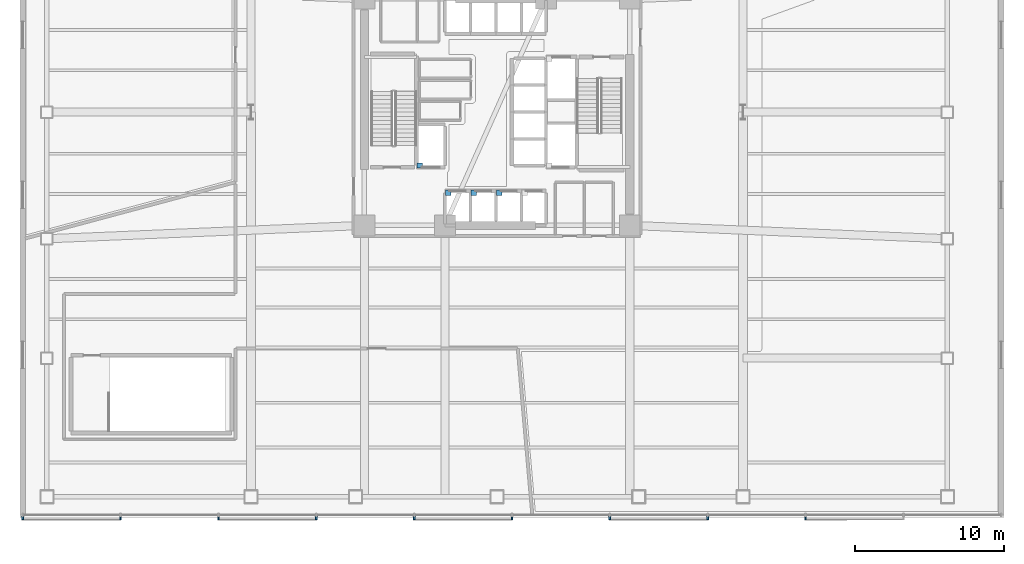
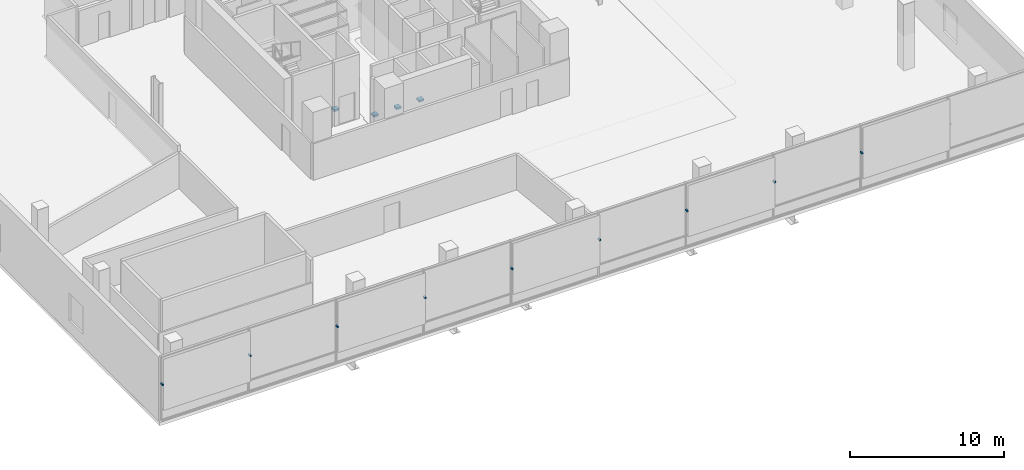
# One storey, part 15 of 19: 13 discrete accessories.
"""IFC4 building model written with IfcOpenShell, lengths in metres."""

import ifcopenshell
import ifcopenshell.guid

model = None  # the IFC model being written
_history = None  # IfcOwnerHistory: only IFC2X3 demands one
_inside = {}  # id of a spatial element -> (the spatial element, [elements in it])
_under = {}  # id of a project, library or spatial element -> (it, [spatial elements below it])
_declared = {}  # id of a project -> (the project, [libraries it declares])
_typed = {}  # id of a type object -> (the type object, [elements of that type])
_made_of = {}  # id of a material, layer set ... -> (it, [elements and type objects made of it])


def new_model(schema):
    """Start an empty IFC model of exactly this schema.

    Asked for "IFC4X3", IfcOpenShell would pick the latest addendum, in which some entities
    have other attributes; the version numbers below select the first issue.
    IFC2X3 requires an IfcOwnerHistory on every rooted entity: one is made here for all.
    """
    global model, _history
    if schema == "IFC4X3":
        model = ifcopenshell.file(schema_version=(4, 3, 0, 0))
    else:
        model = ifcopenshell.file(schema=schema)
    _inside.clear()
    _under.clear()
    _declared.clear()
    _typed.clear()
    _made_of.clear()
    _history = None
    if model.schema == "IFC2X3":
        org = make("IfcOrganization", Name="unknown")
        user = make(
            "IfcPersonAndOrganization",
            ThePerson=make("IfcPerson", FamilyName="unknown"),
            TheOrganization=org,
        )
        app = make(
            "IfcApplication",
            ApplicationDeveloper=org,
            Version="unknown",
            ApplicationFullName="unknown",
            ApplicationIdentifier="unknown",
        )
        _history = make(
            "IfcOwnerHistory",
            OwningUser=user,
            OwningApplication=app,
            ChangeAction="ADDED",
            CreationDate=0,
        )
    return model


def make(cls, **values):
    """One entity of the class cls with the attributes given. An attribute that is None is left unset."""
    return model.create_entity(
        cls, **{name: value for name, value in values.items() if value is not None}
    )


def rooted(cls, **values):
    """An entity with a GlobalId (a new one), such as an element, a storey or a relation."""
    return make(cls, GlobalId=ifcopenshell.guid.new(), OwnerHistory=_history, **values)


def si_unit(unit_type, name, prefix=None):
    """IfcSIUnit, for example si_unit("LENGTHUNIT", "METRE", prefix="MILLI")."""
    return make("IfcSIUnit", UnitType=unit_type, Prefix=prefix, Name=name)


def assignment(units):
    """IfcUnitAssignment: the units of a project."""
    return None if units is None else make("IfcUnitAssignment", Units=units)


def point(xyz):
    """IfcCartesianPoint."""
    return None if xyz is None else make("IfcCartesianPoint", Coordinates=xyz)


def direction(xyz):
    """IfcDirection."""
    return None if xyz is None else make("IfcDirection", DirectionRatios=xyz)


def frame(location, z_axis=None, x_axis=None):
    """IfcAxis2Placement3D, a coordinate frame: its origin and axes. An axis left out is left unset."""
    return make(
        "IfcAxis2Placement3D",
        Location=point(location),
        Axis=direction(z_axis),
        RefDirection=direction(x_axis),
    )


def frame_2d(location, x_axis=None):
    """IfcAxis2Placement2D, a coordinate frame in the plane: its origin and x axis."""
    return make(
        "IfcAxis2Placement2D", Location=point(location), RefDirection=direction(x_axis)
    )


def origin():
    """The frame at (0, 0, 0) with its axes left unset."""
    return frame((0.0, 0.0, 0.0))


def origin_2d():
    """The frame at (0, 0) in the plane with its x axis left unset."""
    return frame_2d((0.0, 0.0))


def place(relative_to, where):
    """IfcLocalPlacement: puts the frame where relative to a parent placement (None: the world)."""
    return make(
        "IfcLocalPlacement", PlacementRelTo=relative_to, RelativePlacement=where
    )


def context(
    kind, dimensions, precision=None, world=None, true_north=None, identifier=None
):
    """IfcGeometricRepresentationContext, for example the 3D "Model" context."""
    return make(
        "IfcGeometricRepresentationContext",
        ContextIdentifier=identifier,
        ContextType=kind,
        CoordinateSpaceDimension=dimensions,
        Precision=precision,
        WorldCoordinateSystem=world,
        TrueNorth=true_north,
    )


def subcontext(parent, identifier, kind, view, scale=None):
    """IfcGeometricRepresentationSubContext, for example "Body" below "Model"."""
    return make(
        "IfcGeometricRepresentationSubContext",
        ContextIdentifier=identifier,
        ContextType=kind,
        ParentContext=parent,
        TargetScale=scale,
        TargetView=view,
    )


def project(units=None, contexts=None):
    """IfcProject with its units and contexts."""
    return rooted(
        "IfcProject",
        Name="project",
        RepresentationContexts=contexts,
        UnitsInContext=assignment(units),
    )


def spatial(cls, under=None, at=None, **own):
    """A site, building, storey or space (cls), placed at a placement, below another one or the project."""
    s = rooted(cls, ObjectPlacement=at, **own)
    if under is not None:
        _under.setdefault(under.id(), (under, []))[1].append(s)
    return s


def profile(cls, at=None, kind="AREA", **sizes):
    """A parametric profile (cls). Its sizes go by their IFC names, for example OverallWidth=200.0."""
    return make(cls, ProfileType=kind, Position=at, **sizes)


def rectangle(**sizes):
    """IfcRectangleProfileDef."""
    return profile("IfcRectangleProfileDef", **sizes)


def extrude(swept, where, along, depth):
    """IfcExtrudedAreaSolid: the profile swept, set in the frame where, extruded along a direction by depth."""
    return make(
        "IfcExtrudedAreaSolid",
        SweptArea=swept,
        Position=where,
        ExtrudedDirection=direction(along),
        Depth=depth,
    )


def shape(context_of_items, identifier, shape_type, items):
    """IfcShapeRepresentation: the items that make up one representation, for example the "Body"."""
    return make(
        "IfcShapeRepresentation",
        ContextOfItems=context_of_items,
        RepresentationIdentifier=identifier,
        RepresentationType=shape_type,
        Items=items,
    )


def material(Name=None, Category=None):
    """IfcMaterial."""
    return make("IfcMaterial", Name=Name, Category=Category)


def made_of(thing, what):
    """Note that an element or type object is made of a material, layer set ...; save() writes the relation."""
    if what is not None:
        _made_of.setdefault(what.id(), (what, []))[1].append(thing)
    return thing


def type_object(cls, material=None, **own):
    """A type object (cls), such as IfcWallType, which elements share."""
    return made_of(rooted(cls, **own), material)


def element(
    cls,
    number,
    at=None,
    inside=None,
    cuts=None,
    type_object=None,
    material=None,
    context=None,
    identifier="Body",
    shape_type=None,
    held_by="IfcProductDefinitionShape",
    body=None,
    shapes=None,
    **own,
):
    """One element of the class cls, such as IfcWall. Its Tag is "e" and its number.

    at: its placement. inside: the storey or other place that contains it. cuts: it is an
    opening in that element (IfcRelVoidsElement). A single representation is given by context,
    identifier, shape_type and body (its items); several are given by shapes. held_by: the class
    of the entity that holds the representations. save() writes the other relations.
    """
    e = rooted(cls, Tag="e%d" % number, ObjectPlacement=at, **own)
    if body is not None:
        shapes = [shape(context, identifier, shape_type, body)]
    if shapes is not None:
        e.Representation = make(held_by, Representations=shapes)
    if inside is not None:
        _inside.setdefault(inside.id(), (inside, []))[1].append(e)
    if cuts is not None:
        rooted(
            "IfcRelVoidsElement", RelatingBuildingElement=cuts, RelatedOpeningElement=e
        )
    if type_object is not None:
        _typed.setdefault(type_object.id(), (type_object, []))[1].append(e)
    return made_of(e, material)


def aggregate(whole, parts):
    """IfcRelAggregates: a whole, such as a stair, and the parts it consists of."""
    return rooted("IfcRelAggregates", RelatingObject=whole, RelatedObjects=parts)


def save(model, path):
    """Write the relations noted so far, then the file.

    IfcRelAggregates (storeys below a building ...), IfcRelContainedInSpatialStructure (elements
    in a storey), IfcRelDefinesByType, IfcRelAssociatesMaterial and IfcRelDeclares: one each for
    every whole, place, type object, material and project.
    """
    for whole, parts in _under.values():
        aggregate(whole, parts)
    for where, things in _inside.values():
        rooted(
            "IfcRelContainedInSpatialStructure",
            RelatedElements=things,
            RelatingStructure=where,
        )
    for kind, things in _typed.values():
        rooted("IfcRelDefinesByType", RelatedObjects=things, RelatingType=kind)
    for what, things in _made_of.values():
        rooted("IfcRelAssociatesMaterial", RelatedObjects=things, RelatingMaterial=what)
    for by, libraries in _declared.values():
        rooted("IfcRelDeclares", RelatingContext=by, RelatedDefinitions=libraries)
    model.write(path)


model = new_model("IFC4")

# Units and contexts
model_context = context("Model", 3, precision=1e-05, world=origin(), true_north=direction((0.0, 1.0)))
body_context = subcontext(model_context, "Body", "Model", "MODEL_VIEW")
ifc_project = project(units=[si_unit("LENGTHUNIT", "METRE"), si_unit("AREAUNIT", "SQUARE_METRE"), si_unit("VOLUMEUNIT", "CUBIC_METRE"), si_unit("PLANEANGLEUNIT", "RADIAN"), si_unit("MASSUNIT", "GRAM", prefix="KILO")], contexts=[model_context])

# Site, building, storey
site_placement = place(None, origin())
site = spatial("IfcSite", under=ifc_project, at=site_placement, CompositionType="ELEMENT")
building_placement = place(site_placement, origin())
building = spatial("IfcBuilding", under=site, at=building_placement, Name="Tharavind Bronze Gate", CompositionType="ELEMENT")
storey_placement = place(building_placement, frame((0.0, 0.0, 26.5)))
storey = spatial("IfcBuildingStorey", under=building, at=storey_placement, Name="L05", CompositionType="ELEMENT", Elevation=26.5)

# Discrete accessories
ifc_material_1 = material(Name="Galvanised Steel S355", Category="steel")
discrete_accessory_type_1 = type_object("IfcDiscreteAccessoryType", Name="LIFT GUIDE RAIL BRACKET", PredefinedType="BRACKET", material=ifc_material_1)
for number, where, z_axis, x_axis, name in (
    (1, (-3.280029296875, -5.419921875, 1.1201171875), (0.0, 0.0, 1.0), (1.0, 0.0, 0.0), "Lift PL1 guide rail bracket at L05"),
    (2, (-1.5673828125, -5.419921875, 1.1201171875), (0.0, 0.0, 1.0), (1.0, 0.0, 0.0), "Lift PL2 guide rail bracket at L05"),
    (3, (0.14501953125, -5.419921875, 1.1201171875), (0.0, 0.0, 1.0), (1.0, 0.0, 0.0), "Lift PL3 guide rail bracket at L05"),
    (4, (-5.179931640625, -3.580078125, 1.1201171875), (0.0, 0.0, 1.0), (1.0, 0.0, 0.0), "Lift FFL1 guide rail bracket at L05"),
):
    element("IfcDiscreteAccessory", number, at=place(storey_placement, frame(where, z_axis=z_axis, x_axis=x_axis)), inside=storey, type_object=discrete_accessory_type_1, Name=name, PredefinedType="BRACKET", context=body_context, shape_type="SweptSolid", body=[
        extrude(rectangle(XDim=0.360107421875, YDim=0.360107421875, at=origin_2d()), origin(), (0.0, 0.0, 1.0), 0.159912109375),
    ])
ifc_material_2 = material(Name="Stainless Steel 316", Category="steel")
discrete_accessory_type_2 = type_object("IfcDiscreteAccessoryType", Name="SOLAR SCREEN STANDOFF BRACKET", PredefinedType="BRACKET", material=ifc_material_2)
for number, where, z_axis, x_axis, name in (
    (5, (-31.820068359375, -27.219970703125, 2.9423828125), (0.0, 0.0, 1.0), (1.0, 0.0, 0.0), "CW-L05-S1 solar screen bracket 1.1"),
    (6, (-25.256103515625, -27.219970703125, 2.9423828125), (0.0, 0.0, 1.0), (1.0, 0.0, 0.0), "CW-L05-S1 solar screen bracket 1.2"),
    (7, (-18.69189453125, -27.219970703125, 2.9423828125), (0.0, 0.0, 1.0), (1.0, 0.0, 0.0), "CW-L05-S1 solar screen bracket 3.1"),
    (8, (-12.1279296875, -27.219970703125, 2.9423828125), (0.0, 0.0, 1.0), (1.0, 0.0, 0.0), "CW-L05-S1 solar screen bracket 3.2"),
    (9, (-5.56396484375, -27.219970703125, 2.9423828125), (0.0, 0.0, 1.0), (1.0, 0.0, 0.0), "CW-L05-S1 solar screen bracket 5.1"),
    (10, (1.0, -27.219970703125, 2.9423828125), (0.0, 0.0, 1.0), (1.0, 0.0, 0.0), "CW-L05-S1 solar screen bracket 5.2"),
    (11, (7.56396484375, -27.219970703125, 2.9423828125), (0.0, 0.0, 1.0), (1.0, 0.0, 0.0), "CW-L05-S1 solar screen bracket 7.1"),
    (12, (14.1279296875, -27.219970703125, 2.9423828125), (0.0, 0.0, 1.0), (1.0, 0.0, 0.0), "CW-L05-S1 solar screen bracket 7.2"),
    (13, (20.69189453125, -27.219970703125, 2.9423828125), (0.0, 0.0, 1.0), (1.0, 0.0, 0.0), "CW-L05-S1 solar screen bracket 9.1"),
):
    element("IfcDiscreteAccessory", number, at=place(storey_placement, frame(where, z_axis=z_axis, x_axis=x_axis)), inside=storey, type_object=discrete_accessory_type_2, Name=name, PredefinedType="BRACKET", context=body_context, shape_type="SweptSolid", body=[
        extrude(rectangle(XDim=0.1201171875, YDim=0.239990234375, at=origin_2d()), origin(), (0.0, 0.0, 1.0), 0.1201171875),
    ])

save(model, "model.ifc")
